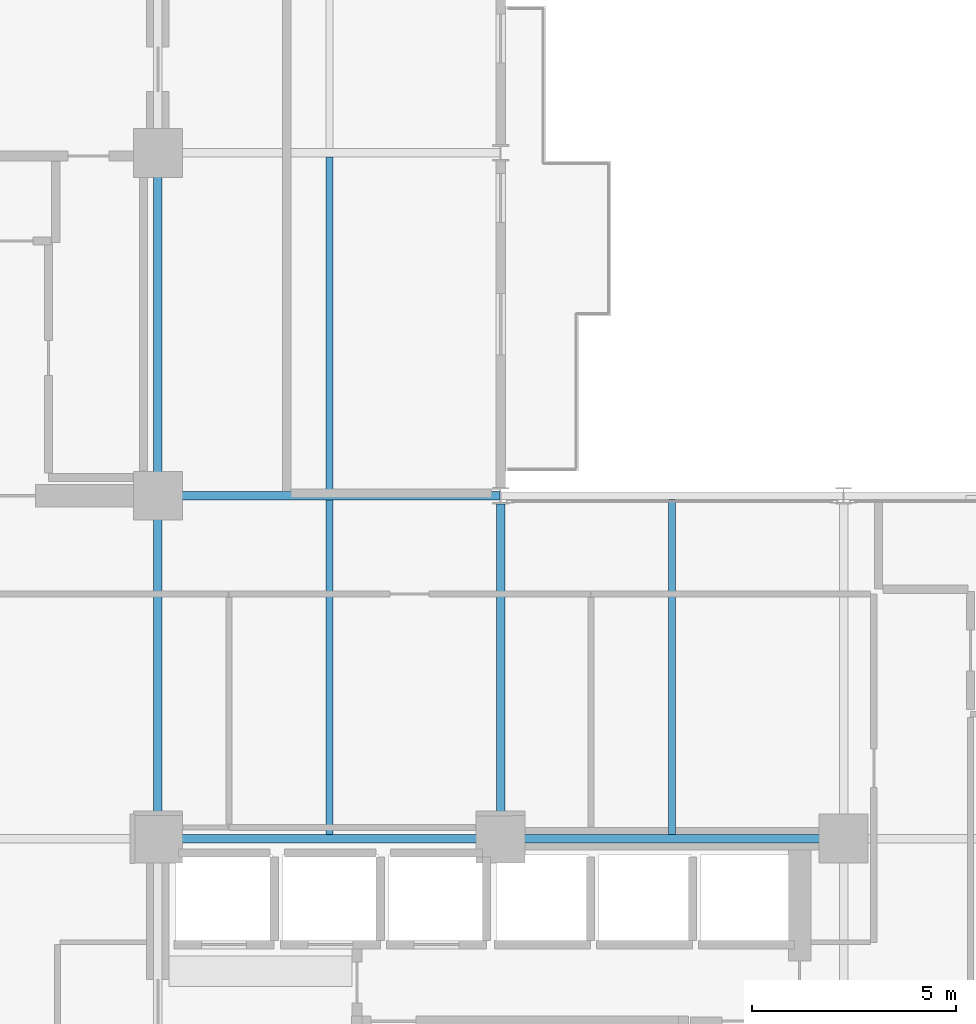
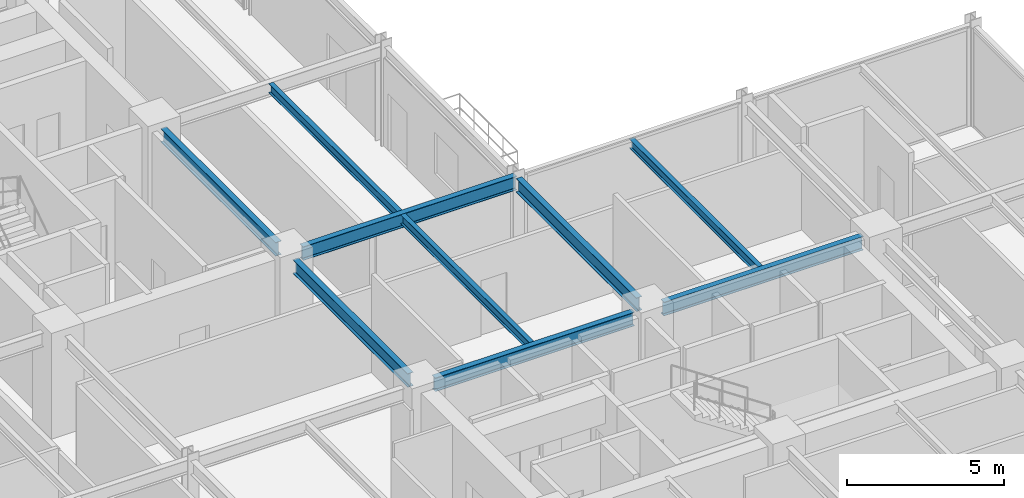
# One storey, part 11 of 29: 9 beams.
"""IFC4 building model written with IfcOpenShell, lengths in metres."""

from ifc_helpers import new_model, si_unit, direction, frame, origin, origin_2d, place, context, subcontext, project, spatial, i_section, extrude, material, material_profile, profile_set, type_object, element, save


model = new_model("IFC4")

# Units and contexts
model_context = context("Model", 3, precision=1e-05, world=origin(), true_north=direction((0.0, 1.0)))
body_context = subcontext(model_context, "Body", "Model", "MODEL_VIEW")
ifc_project = project(units=[si_unit("LENGTHUNIT", "METRE"), si_unit("AREAUNIT", "SQUARE_METRE"), si_unit("VOLUMEUNIT", "CUBIC_METRE"), si_unit("PLANEANGLEUNIT", "RADIAN"), si_unit("MASSUNIT", "GRAM", prefix="KILO")], contexts=[model_context])

# Site, building, storey
site_placement = place(None, origin())
site = spatial("IfcSite", under=ifc_project, at=site_placement, CompositionType="ELEMENT")
building_placement = place(site_placement, origin())
building = spatial("IfcBuilding", under=site, at=building_placement, Name="Nerrivon Quay Data Exchange", CompositionType="ELEMENT")
storey_placement = place(building_placement, frame((0.0, 0.0, 145.89990234375)))
storey = spatial("IfcBuildingStorey", under=building, at=storey_placement, Name="L34", CompositionType="ELEMENT", Elevation=145.89990234375)

# Beams
ifc_material = material(Name="Steel Grade 350", Category="steel")
ifc_material_profile_1 = material_profile(ifc_material, i_section(OverallWidth=0.208984375, OverallDepth=0.532958984375, WebThickness=0.01025390625, FlangeThickness=0.015625, FilletRadius=0.013916015625, at=origin_2d()), Name="530UB92.4")
ifc_profile_set_1 = profile_set([ifc_material_profile_1], Name="Steel Grade 350")
beam_type_1 = type_object("IfcBeamType", Name="BM-G3-530UB92", PredefinedType="BEAM", material=ifc_profile_set_1)
beam_1_placement = place(storey_placement, frame((17.340087890625, 16.800048828125, 3.55859375), z_axis=(1.0, 0.0, 0.0), x_axis=(0.0, 1.0, 0.0)))
element("IfcBeam", 1, at=beam_1_placement, inside=storey, type_object=beam_type_1, Name="L34 EW Girder Y=16.8 (16.8..25.2)", PredefinedType="BEAM", context=body_context, shape_type="SweptSolid", body=[
    extrude(i_section(OverallWidth=0.208984375, OverallDepth=0.532958984375, WebThickness=0.01025390625, FlangeThickness=0.015625, FilletRadius=0.013916015625, at=origin_2d()), origin(), (0.0, 0.0, 1.0), 7.31982421875),
])
beam_2_placement = place(storey_placement, frame((25.739990234375, 16.800048828125, 3.55859375), z_axis=(1.0, 0.0, 0.0), x_axis=(0.0, 1.0, 0.0)))
element("IfcBeam", 2, at=beam_2_placement, inside=storey, type_object=beam_type_1, Name="L34 EW Girder Y=16.8 (25.2..33.6)", PredefinedType="BEAM", context=body_context, shape_type="SweptSolid", body=[
    extrude(i_section(OverallWidth=0.208984375, OverallDepth=0.532958984375, WebThickness=0.01025390625, FlangeThickness=0.015625, FilletRadius=0.013916015625, at=origin_2d()), origin(), (0.0, 0.0, 1.0), 7.320068359375),
])
beam_3_placement = place(storey_placement, frame((17.340087890625, 25.199951171875, 3.55859375), z_axis=(1.0, 0.0, 0.0), x_axis=(0.0, 1.0, 0.0)))
element("IfcBeam", 3, at=beam_3_placement, inside=storey, type_object=beam_type_1, Name="L34 EW Girder Y=25.2 (16.8..25.2)", PredefinedType="BEAM", context=body_context, shape_type="SweptSolid", body=[
    extrude(i_section(OverallWidth=0.208984375, OverallDepth=0.532958984375, WebThickness=0.01025390625, FlangeThickness=0.015625, FilletRadius=0.013916015625, at=origin_2d()), origin(), (0.0, 0.0, 1.0), 7.847412109375),
])
ifc_material_profile_2 = material_profile(ifc_material, i_section(OverallWidth=0.208984375, OverallDepth=0.528076171875, WebThickness=0.009521484375, FlangeThickness=0.01318359375, FilletRadius=0.013916015625, at=origin_2d()), Name="530UB82.0")
ifc_profile_set_2 = profile_set([ifc_material_profile_2], Name="Steel Grade 350")
beam_type_2 = type_object("IfcBeamType", Name="BM-G4-530UB82", PredefinedType="BEAM", material=ifc_profile_set_2)
beam_4_placement = place(storey_placement, frame((16.800048828125, 17.340087890625, 3.56103515625), z_axis=(0.0, 1.0, 0.0), x_axis=(-1.0, 0.0, 0.0)))
element("IfcBeam", 4, at=beam_4_placement, inside=storey, type_object=beam_type_2, Name="L34 NS Girder X=16.8 (16.8..25.2)", PredefinedType="BEAM", context=body_context, shape_type="SweptSolid", body=[
    extrude(i_section(OverallWidth=0.208984375, OverallDepth=0.528076171875, WebThickness=0.009521484375, FlangeThickness=0.01318359375, FilletRadius=0.013916015625, at=origin_2d()), origin(), (0.0, 0.0, 1.0), 7.31982421875),
])
beam_5_placement = place(storey_placement, frame((16.800048828125, 25.739990234375, 3.56103515625), z_axis=(0.0, 1.0, 0.0), x_axis=(-1.0, 0.0, 0.0)))
element("IfcBeam", 5, at=beam_5_placement, inside=storey, type_object=beam_type_2, Name="L34 NS Girder X=16.8 (25.2..33.6)", PredefinedType="BEAM", context=body_context, shape_type="SweptSolid", body=[
    extrude(i_section(OverallWidth=0.208984375, OverallDepth=0.528076171875, WebThickness=0.009521484375, FlangeThickness=0.01318359375, FilletRadius=0.013916015625, at=origin_2d()), origin(), (0.0, 0.0, 1.0), 7.320068359375),
])
beam_6_placement = place(storey_placement, frame((25.199951171875, 17.340087890625, 3.56103515625), z_axis=(0.0, 1.0, 0.0), x_axis=(-1.0, 0.0, 0.0)))
element("IfcBeam", 6, at=beam_6_placement, inside=storey, type_object=beam_type_2, Name="L34 NS Girder X=25.2 (16.8..25.2)", PredefinedType="BEAM", context=body_context, shape_type="SweptSolid", body=[
    extrude(i_section(OverallWidth=0.208984375, OverallDepth=0.528076171875, WebThickness=0.009521484375, FlangeThickness=0.01318359375, FilletRadius=0.013916015625, at=origin_2d()), origin(), (0.0, 0.0, 1.0), 7.659912109375),
])
ifc_material_profile_3 = material_profile(ifc_material, i_section(OverallWidth=0.1708984375, OverallDepth=0.35595703125, WebThickness=0.00732421875, FlangeThickness=0.011474609375, FilletRadius=0.011474609375, at=origin_2d()), Name="360UB50.7")
ifc_profile_set_3 = profile_set([ifc_material_profile_3], Name="Steel Grade 350")
beam_type_3 = type_object("IfcBeamType", Name="BM-J4-360UB51", PredefinedType="JOIST", material=ifc_profile_set_3)
beam_7_placement = place(storey_placement, frame((21.0, 16.904541015625, 3.647216796875), z_axis=(0.0, 1.0, 0.0), x_axis=(-1.0, 0.0, 0.0)))
element("IfcBeam", 7, at=beam_7_placement, inside=storey, type_object=beam_type_3, Name="L34 Secondary Joist X=21.0 (16.8..25.2)", PredefinedType="JOIST", context=body_context, shape_type="SweptSolid", body=[
    extrude(i_section(OverallWidth=0.1708984375, OverallDepth=0.35595703125, WebThickness=0.00732421875, FlangeThickness=0.011474609375, FilletRadius=0.011474609375, at=origin_2d()), origin(), (0.0, 0.0, 1.0), 8.19091796875),
])
beam_8_placement = place(storey_placement, frame((21.0, 25.304443359375, 3.647216796875), z_axis=(0.0, 1.0, 0.0), x_axis=(-1.0, 0.0, 0.0)))
element("IfcBeam", 8, at=beam_8_placement, inside=storey, type_object=beam_type_3, Name="L34 Secondary Joist X=21.0 (25.2..33.6)", PredefinedType="JOIST", context=body_context, shape_type="SweptSolid", body=[
    extrude(i_section(OverallWidth=0.1708984375, OverallDepth=0.35595703125, WebThickness=0.00732421875, FlangeThickness=0.011474609375, FilletRadius=0.011474609375, at=origin_2d()), origin(), (0.0, 0.0, 1.0), 8.191162109375),
])
beam_9_placement = place(storey_placement, frame((29.39990234375, 16.904541015625, 3.647216796875), z_axis=(0.0, 1.0, 0.0), x_axis=(-1.0, 0.0, 0.0)))
element("IfcBeam", 9, at=beam_9_placement, inside=storey, type_object=beam_type_3, Name="L34 Secondary Joist X=29.4 (16.8..25.2)", PredefinedType="JOIST", context=body_context, shape_type="SweptSolid", body=[
    extrude(i_section(OverallWidth=0.1708984375, OverallDepth=0.35595703125, WebThickness=0.00732421875, FlangeThickness=0.011474609375, FilletRadius=0.011474609375, at=origin_2d()), origin(), (0.0, 0.0, 1.0), 8.20654296875),
])

save(model, "model.ifc")
